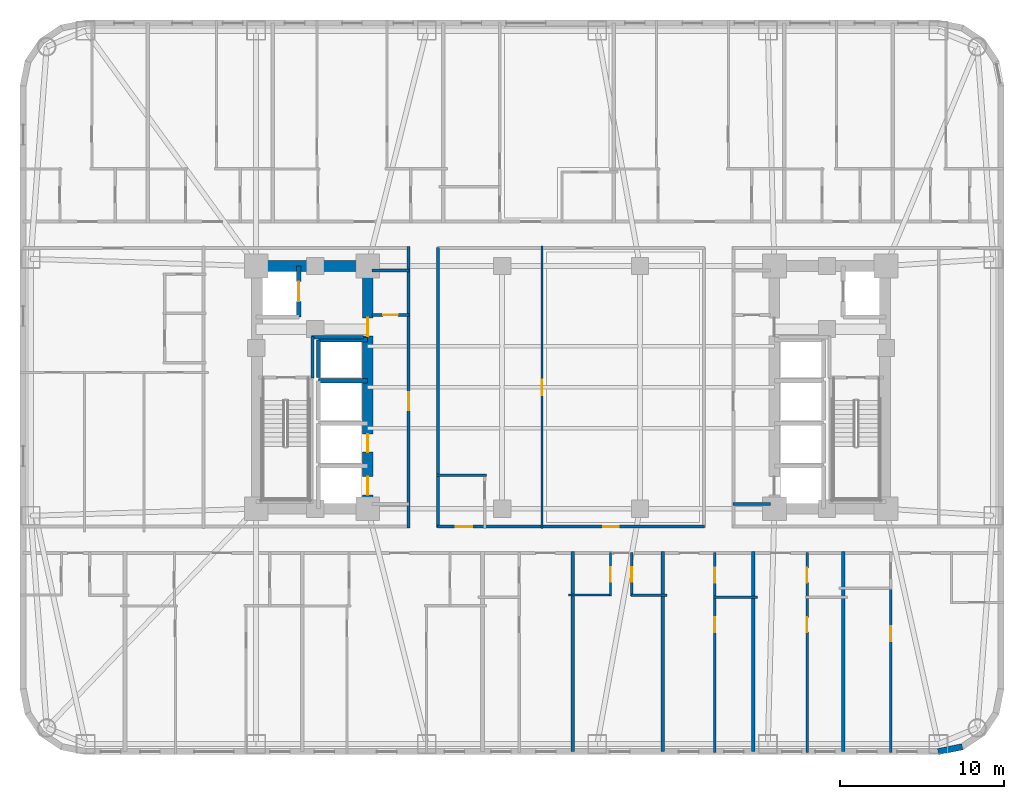
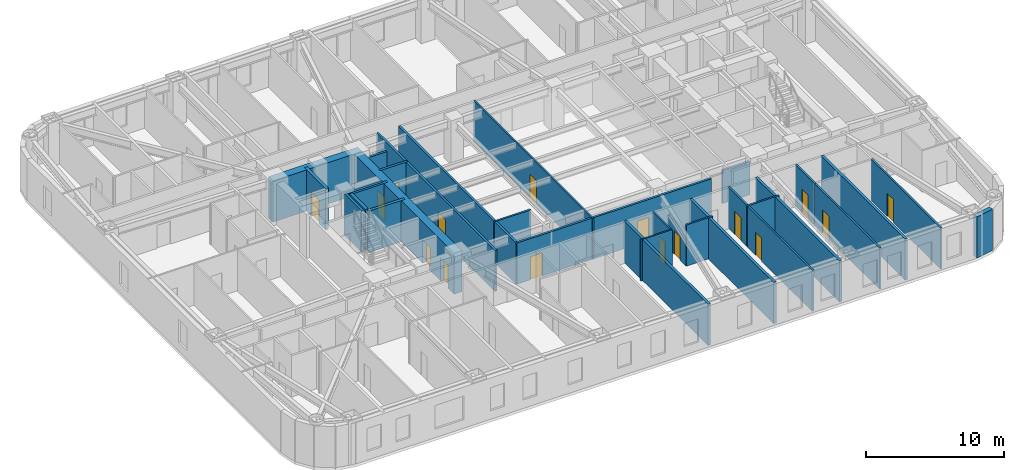
# One storey, part 5 of 12: 31 walls, 16 doors, 16 openings.
"""IFC4 building model written with IfcOpenShell, lengths in metres."""

from ifc_helpers import new_model, si_unit, direction, frame, frame_2d, origin, place, context, subcontext, project, spatial, rectangle, extrude, material, layer, layer_set, type_object, element, fill, save


model = new_model("IFC4")

# Units and contexts
model_context = context("Model", 3, precision=1e-05, world=origin(), true_north=direction((0.0, 1.0)))
body_context = subcontext(model_context, "Body", "Model", "MODEL_VIEW")
ifc_project = project(units=[si_unit("LENGTHUNIT", "METRE"), si_unit("AREAUNIT", "SQUARE_METRE"), si_unit("VOLUMEUNIT", "CUBIC_METRE"), si_unit("PLANEANGLEUNIT", "RADIAN"), si_unit("MASSUNIT", "GRAM", prefix="KILO")], contexts=[model_context])

# Site, building, storey
site_placement = place(None, origin())
site = spatial("IfcSite", under=ifc_project, at=site_placement, CompositionType="ELEMENT")
building_placement = place(site_placement, origin())
building = spatial("IfcBuilding", under=site, at=building_placement, Name="Voryun Gate Residences", CompositionType="ELEMENT")
storey_placement = place(building_placement, frame((0.0, 0.0, 41.60009765625)))
storey = spatial("IfcBuildingStorey", under=building, at=storey_placement, Name="L09", CompositionType="ELEMENT", Elevation=41.60009765625)

# Wall
ifc_material_1 = material(Name="Concrete C60/75", Category="concrete")
ifc_layer_1 = layer(ifc_material_1, 0.64990234375, Name="CW_CORE_650")
ifc_layer_set_1 = layer_set([ifc_layer_1], Name="Concrete C60/75")
wall_type_1 = type_object("IfcWallType", Name="CW_CORE_650", PredefinedType="SHEAR", material=ifc_layer_set_1)
wall_1_placement = place(storey_placement, frame((-19.52490234375, 7.39990234375, 0.0), z_axis=(0.0, 0.0, 1.0), x_axis=(1.0, 0.0, 0.0)))
element("IfcWall", 1, at=wall_1_placement, inside=storey, type_object=wall_type_1, Name="L09 Core shear wall CW-L09-WN", PredefinedType="SHEAR", context=body_context, shape_type="SweptSolid", body=[
    extrude(rectangle(XDim=7.449951171875, YDim=0.64990234375, at=frame_2d((3.72509765625, 0.0))), origin(), (0.0, 0.0, 1.0), 3.64990234375),
])

# Wall, openings, doors
wall_2_placement = place(storey_placement, frame((-12.39990234375, -7.39990234375, 0.0), z_axis=(0.0, 0.0, 1.0), x_axis=(0.0, 1.0, 0.0)))
wall_2 = element("IfcWall", 2, at=wall_2_placement, inside=storey, type_object=wall_type_1, Name="L09 Core shear wall CW-L09-WE", PredefinedType="SHEAR", context=body_context, shape_type="SweptSolid", body=[
    extrude(rectangle(XDim=14.7998046875, YDim=0.64990234375, at=frame_2d((7.39990234375, 0.0))), origin(), (0.0, 0.0, 1.0), 3.64990234375),
])
opening_1_placement = place(wall_2_placement, frame((0.85009765625, 0.0, 0.0)))
opening_1 = element("IfcOpeningElement", 3, at=opening_1_placement, cuts=wall_2, Name="Opening LD2", PredefinedType="OPENING", context=body_context, shape_type="SweptSolid", body=[
    extrude(rectangle(XDim=1.10009765625, YDim=2.050048828125, at=frame_2d((0.550048828125, 1.02490234375))), frame((0.0, 0.3349609375, 0.0), z_axis=(0.0, -1.0, 0.0), x_axis=(1.0, 0.0, 0.0)), (0.0, 0.0, 1.0), 0.669921875),
])
opening_2_placement = place(wall_2_placement, frame((3.449951171875, 0.0, 0.0)))
opening_2 = element("IfcOpeningElement", 4, at=opening_2_placement, cuts=wall_2, Name="Opening LD2", PredefinedType="OPENING", context=body_context, shape_type="SweptSolid", body=[
    extrude(rectangle(XDim=1.10009765625, YDim=2.050048828125, at=frame_2d((0.550048828125, 1.02490234375))), frame((0.0, 0.3349609375, 0.0), z_axis=(0.0, -1.0, 0.0), x_axis=(1.0, 0.0, 0.0)), (0.0, 0.0, 1.0), 0.669921875),
])
opening_3_placement = place(wall_2_placement, frame((10.530029296875, 0.0, 0.0)))
opening_3 = element("IfcOpeningElement", 5, at=opening_3_placement, cuts=wall_2, Name="Opening D-FD60-2", PredefinedType="OPENING", context=body_context, shape_type="SweptSolid", body=[
    extrude(rectangle(XDim=1.10009765625, YDim=2.050048828125, at=frame_2d((0.550048828125, 1.02490234375))), frame((0.0, 0.3349609375, 0.0), z_axis=(0.0, -1.0, 0.0), x_axis=(1.0, 0.0, 0.0)), (0.0, 0.0, 1.0), 0.669921875),
])
ifc_material_2 = material(Name="Painted steel fire door", Category="steel")
door_type_1 = type_object("IfcDoorType", Name="DR_FD60_FFLOB_1100", OperationType="NOTDEFINED", PredefinedType="DOOR", material=ifc_material_2)
door_1_placement = place(opening_3_placement, origin())
door_1 = element("IfcDoor", 6, at=door_1_placement, inside=storey, type_object=door_type_1, Name="Door DR-L09-CLOB-W", OperationType="SINGLE_SWING_LEFT", OverallHeight=2.050048828125, OverallWidth=1.10009765625, PredefinedType="DOOR", context=body_context, shape_type="SweptSolid", body=[
    extrude(rectangle(XDim=1.10009765625, YDim=2.050048828125, at=frame_2d((0.550048828125, 1.02490234375))), frame((0.0, 0.02490234375, 0.0), z_axis=(0.0, -1.0, 0.0), x_axis=(1.0, 0.0, 0.0)), (0.0, 0.0, 1.0), 0.050048828125),
])
fill(opening_3, door_1)
ifc_material_3 = material(Name="Anodised aluminium", Category="aluminium")
door_type_2 = type_object("IfcDoorType", Name="DR_LD_PASS_1100", OperationType="NOTDEFINED", PredefinedType="DOOR", material=ifc_material_3)
door_2_placement = place(opening_1_placement, origin())
door_2 = element("IfcDoor", 7, at=door_2_placement, inside=storey, type_object=door_type_2, Name="Lift EL-P1 sliding landing door L09", OperationType="SLIDING_TO_LEFT", OverallHeight=2.050048828125, OverallWidth=1.10009765625, PredefinedType="DOOR", context=body_context, shape_type="SweptSolid", body=[
    extrude(rectangle(XDim=1.10009765625, YDim=2.050048828125, at=frame_2d((0.550048828125, 1.02490234375))), frame((0.0, 0.02490234375, 0.0), z_axis=(0.0, -1.0, 0.0), x_axis=(1.0, 0.0, 0.0)), (0.0, 0.0, 1.0), 0.050048828125),
])
fill(opening_1, door_2)
door_3_placement = place(opening_2_placement, origin())
door_3 = element("IfcDoor", 8, at=door_3_placement, inside=storey, type_object=door_type_2, Name="Lift EL-P2 sliding landing door L09", OperationType="SLIDING_TO_LEFT", OverallHeight=2.050048828125, OverallWidth=1.10009765625, PredefinedType="DOOR", context=body_context, shape_type="SweptSolid", body=[
    extrude(rectangle(XDim=1.10009765625, YDim=2.050048828125, at=frame_2d((0.550048828125, 1.02490234375))), frame((0.0, 0.02490234375, 0.0), z_axis=(0.0, -1.0, 0.0), x_axis=(1.0, 0.0, 0.0)), (0.0, 0.0, 1.0), 0.050048828125),
])
fill(opening_2, door_3)

# Walls
ifc_material_4 = material(Name="Gypsum acoustic fireboard")
ifc_layer_2 = layer(ifc_material_4, 0.179931640625, Name="W_CORR_RATED_180")
ifc_layer_set_2 = layer_set([ifc_layer_2], Name="Gypsum acoustic fireboard")
wall_type_2 = type_object("IfcWallType", Name="W_CORR_RATED_180", PredefinedType="PARTITIONING", material=ifc_layer_set_2)
for number, where, z_axis, x_axis, name in (
    (9, (-12.14990234375, 7.1201171875, 0.0), (0.0, 0.0, 1.0), (1.0, 0.0, 0.0), "Partition wall WP-L09-PLBN-W"),
    (10, (9.8798828125, -7.1201171875, 0.0), (0.0, 0.0, 1.0), (1.0, 0.0, 0.0), "Partition wall WP-L09-PLBS-E"),
):
    element("IfcWall", number, at=place(storey_placement, frame(where, z_axis=z_axis, x_axis=x_axis)), inside=storey, type_object=wall_type_2, Name=name, PredefinedType="PARTITIONING", context=body_context, shape_type="SweptSolid", body=[
        extrude(rectangle(XDim=2.27001953125, YDim=0.179931640625, at=frame_2d((1.135009765625, 0.0))), origin(), (0.0, 0.0, 1.0), 2.93994140625),
    ])

# Wall, opening, door
wall_3_placement = place(storey_placement, frame((-9.89990234375, -8.580078125, 0.0), z_axis=(0.0, 0.0, 1.0), x_axis=(0.0, 1.0, 0.0)))
wall_3 = element("IfcWall", 11, at=wall_3_placement, inside=storey, type_object=wall_type_2, Name="Partition wall WP-L09-PLBW-FULL", PredefinedType="PARTITIONING", context=body_context, shape_type="SweptSolid", body=[
    extrude(rectangle(XDim=17.16015625, YDim=0.179931640625, at=frame_2d((8.580078125, 0.0))), origin(), (0.0, 0.0, 1.0), 3.64990234375),
])
opening_4_placement = place(wall_3_placement, frame((7.172119140625, 0.0, 0.0)))
opening_4 = element("IfcOpeningElement", 12, at=opening_4_placement, cuts=wall_3, Name="Opening D-FD60-2", PredefinedType="OPENING", context=body_context, shape_type="SweptSolid", body=[
    extrude(rectangle(XDim=1.10009765625, YDim=2.050048828125, at=frame_2d((0.550048828125, 1.02490234375))), frame((0.0, 0.099853515625, 0.0), z_axis=(0.0, -1.0, 0.0), x_axis=(1.0, 0.0, 0.0)), (0.0, 0.0, 1.0), 0.199951171875),
])
door_4_placement = place(opening_4_placement, origin())
door_4 = element("IfcDoor", 13, at=door_4_placement, inside=storey, type_object=door_type_1, Name="Door DR-L09-PLBW-COR", OperationType="SINGLE_SWING_LEFT", OverallHeight=2.050048828125, OverallWidth=1.10009765625, PredefinedType="DOOR", context=body_context, shape_type="SweptSolid", body=[
    extrude(rectangle(XDim=1.10009765625, YDim=2.050048828125, at=frame_2d((0.550048828125, 1.02490234375))), frame((0.0, 0.02490234375, 0.0), z_axis=(0.0, -1.0, 0.0), x_axis=(1.0, 0.0, 0.0)), (0.0, 0.0, 1.0), 0.050048828125),
])
fill(opening_4, door_4)

# Wall, openings, doors
wall_4_placement = place(storey_placement, frame((-8.14990234375, -8.489990234375, 0.0), z_axis=(0.0, 0.0, 1.0), x_axis=(1.0, 0.0, 0.0)))
wall_4 = element("IfcWall", 14, at=wall_4_placement, inside=storey, type_object=wall_type_2, Name="Partition wall WP-L09-Z1S", PredefinedType="PARTITIONING", context=body_context, shape_type="SweptSolid", body=[
    extrude(rectangle(XDim=16.2998046875, YDim=0.179931640625, at=frame_2d((8.14990234375, 0.0))), origin(), (0.0, 0.0, 1.0), 3.64990234375),
])
opening_5_placement = place(wall_4_placement, frame((1.1298828125, 0.0, 0.0)))
opening_5 = element("IfcOpeningElement", 15, at=opening_5_placement, cuts=wall_4, Name="Opening D-AWC-1", PredefinedType="OPENING", context=body_context, shape_type="SweptSolid", body=[
    extrude(rectangle(XDim=1.0, YDim=2.050048828125, at=frame_2d((0.5, 1.02490234375))), frame((0.0, 0.099853515625, 0.0), z_axis=(0.0, -1.0, 0.0), x_axis=(1.0, 0.0, 0.0)), (0.0, 0.0, 1.0), 0.199951171875),
])
opening_6_placement = place(wall_4_placement, frame((10.1201171875, 0.0, 0.0)))
opening_6 = element("IfcOpeningElement", 16, at=opening_6_placement, cuts=wall_4, Name="Opening D-INT-1", PredefinedType="OPENING", context=body_context, shape_type="SweptSolid", body=[
    extrude(rectangle(XDim=0.949951171875, YDim=2.050048828125, at=frame_2d((0.47509765625, 1.02490234375))), frame((0.0, 0.099853515625, 0.0), z_axis=(0.0, -1.0, 0.0), x_axis=(1.0, 0.0, 0.0)), (0.0, 0.0, 1.0), 0.199951171875),
])
ifc_material_5 = material(Name="Architectural oak veneer")
door_type_3 = type_object("IfcDoorType", Name="DR_ACC_WC_1000", OperationType="NOTDEFINED", PredefinedType="DOOR", material=ifc_material_5)
door_5_placement = place(opening_5_placement, origin())
door_5 = element("IfcDoor", 17, at=door_5_placement, inside=storey, type_object=door_type_3, Name="Door DR-L09-CMWC-D", OperationType="SINGLE_SWING_LEFT", OverallHeight=2.050048828125, OverallWidth=1.0, PredefinedType="DOOR", context=body_context, shape_type="SweptSolid", body=[
    extrude(rectangle(XDim=1.0, YDim=2.050048828125, at=frame_2d((0.5, 1.02490234375))), frame((0.0, 0.02490234375, 0.0), z_axis=(0.0, -1.0, 0.0), x_axis=(1.0, 0.0, 0.0)), (0.0, 0.0, 1.0), 0.050048828125),
])
fill(opening_5, door_5)
ifc_material_6 = material(Name="Architectural oak veneer")
door_type_4 = type_object("IfcDoorType", Name="DR_INT_ROOM_950", OperationType="NOTDEFINED", PredefinedType="DOOR", material=ifc_material_6)
door_6_placement = place(opening_6_placement, origin())
door_6 = element("IfcDoor", 18, at=door_6_placement, inside=storey, type_object=door_type_4, Name="Door DR-L09-CMIDZ1S", OperationType="SINGLE_SWING_RIGHT", OverallHeight=2.050048828125, OverallWidth=0.949951171875, PredefinedType="DOOR", context=body_context, shape_type="SweptSolid", body=[
    extrude(rectangle(XDim=0.949951171875, YDim=2.050048828125, at=frame_2d((0.47509765625, 1.02490234375))), frame((0.0, 0.02490234375, 0.0), z_axis=(0.0, -1.0, 0.0), x_axis=(1.0, 0.0, 0.0)), (0.0, 0.0, 1.0), 0.050048828125),
])
fill(opening_6, door_6)

# Walls
wall_5_placement = place(storey_placement, frame((-8.10009765625, -8.530029296875, 0.0), z_axis=(0.0, 0.0, 1.0), x_axis=(0.0, 1.0, 0.0)))
element("IfcWall", 19, at=wall_5_placement, inside=storey, type_object=wall_type_2, Name="Partition wall WP-L09-Z1W", PredefinedType="PARTITIONING", context=body_context, shape_type="SweptSolid", body=[
    extrude(rectangle(XDim=17.06005859375, YDim=0.179931640625, at=frame_2d((8.530029296875, 0.0))), origin(), (0.0, 0.0, 1.0), 3.64990234375),
])
ifc_material_7 = material(Name="Granite masonry", Category="masonry")
ifc_layer_3 = layer(ifc_material_7, 0.3798828125, Name="W_EXT_GRANITE_380")
ifc_layer_set_3 = layer_set([ifc_layer_3], Name="Granite masonry")
wall_type_3 = type_object("IfcWallType", Name="W_EXT_GRANITE_380", PredefinedType="ELEMENTEDWALL", material=ifc_layer_set_3)
wall_6_placement = place(storey_placement, frame((23.856689453125, -21.91650390625, 0.0), z_axis=(0.0, 0.0, 1.0), x_axis=(-0.980786132421, -0.195086038585, 0.0)))
element("IfcWall", 20, at=wall_6_placement, inside=storey, type_object=wall_type_3, Name="Exterior wall WEXT-L09-20", PredefinedType="ELEMENTEDWALL", context=body_context, shape_type="SweptSolid", body=[
    extrude(rectangle(XDim=1.504150390625, YDim=0.3798828125, at=frame_2d((0.751953125, 0.0))), origin(), (0.0, 0.0, 1.0), 3.64990234375),
])
ifc_material_8 = material(Name="Concrete C40/50", Category="concrete")
ifc_layer_4 = layer(ifc_material_8, 0.199951171875, Name="W_FF_LOBBY_200")
ifc_layer_set_4 = layer_set([ifc_layer_4], Name="Concrete C40/50")
wall_type_4 = type_object("IfcWallType", Name="W_FF_LOBBY_200", PredefinedType="PARTITIONING", material=ifc_layer_set_4)
wall_7_placement = place(storey_placement, frame((-15.760009765625, 0.580078125, 0.0), z_axis=(0.0, 0.0, 1.0), x_axis=(0.0, 1.0, 0.0)))
element("IfcWall", 21, at=wall_7_placement, inside=storey, type_object=wall_type_4, Name="Partition wall WP-L09-FFP0-W", PredefinedType="PARTITIONING", context=body_context, shape_type="SweptSolid", body=[
    extrude(rectangle(XDim=2.52001953125, YDim=0.199951171875, at=frame_2d((1.260009765625, 0.0))), origin(), (0.0, 0.0, 1.0), 3.64990234375),
])
wall_8_placement = place(storey_placement, frame((-15.820068359375, 3.06005859375, 0.0), z_axis=(0.0, 0.0, 1.0), x_axis=(1.0, 0.0, 0.0)))
element("IfcWall", 22, at=wall_8_placement, inside=storey, type_object=wall_type_4, Name="Partition wall WP-L09-FFPS-W", PredefinedType="PARTITIONING", context=body_context, shape_type="SweptSolid", body=[
    extrude(rectangle(XDim=3.16015625, YDim=0.199951171875, at=frame_2d((1.580078125, 0.0))), origin(), (0.0, 0.0, 1.0), 3.64990234375),
])

# Wall, opening, door
wall_9_placement = place(storey_placement, frame((-12.14990234375, 4.409912109375, 0.0), z_axis=(0.0, 0.0, 1.0), x_axis=(1.0, 0.0, 0.0)))
wall_9 = element("IfcWall", 23, at=wall_9_placement, inside=storey, type_object=wall_type_4, Name="Partition wall WP-L09-CSFLKS-W", PredefinedType="PARTITIONING", context=body_context, shape_type="SweptSolid", body=[
    extrude(rectangle(XDim=2.27001953125, YDim=0.199951171875, at=frame_2d((1.135009765625, 0.0))), origin(), (0.0, 0.0, 1.0), 3.64990234375),
])
opening_7_placement = place(wall_9_placement, frame((0.68505859375, 0.0, 0.0)))
opening_7 = element("IfcOpeningElement", 24, at=opening_7_placement, cuts=wall_9, Name="Opening D-FD60-4", PredefinedType="OPENING", context=body_context, shape_type="SweptSolid", body=[
    extrude(rectangle(XDim=0.89990234375, YDim=2.050048828125, at=frame_2d((0.449951171875, 1.02490234375))), frame((0.0, 0.110107421875, 0.0), z_axis=(0.0, -1.0, 0.0), x_axis=(1.0, 0.0, 0.0)), (0.0, 0.0, 1.0), 0.219970703125),
])
ifc_material_9 = material(Name="Painted steel fire door", Category="steel")
door_type_5 = type_object("IfcDoorType", Name="DR_FD60_RISER_900", OperationType="NOTDEFINED", PredefinedType="DOOR", material=ifc_material_9)
door_7_placement = place(opening_7_placement, origin())
door_7 = element("IfcDoor", 25, at=door_7_placement, inside=storey, type_object=door_type_5, Name="Door DR-L09-CSFLK-W", OperationType="SINGLE_SWING_LEFT", OverallHeight=2.050048828125, OverallWidth=0.89990234375, PredefinedType="DOOR", context=body_context, shape_type="SweptSolid", body=[
    extrude(rectangle(XDim=0.89990234375, YDim=2.050048828125, at=frame_2d((0.449951171875, 1.02490234375))), frame((0.0, 0.02490234375, 0.0), z_axis=(0.0, -1.0, 0.0), x_axis=(1.0, 0.0, 0.0)), (0.0, 0.0, 1.0), 0.050048828125),
])
fill(opening_7, door_7)

# Walls
ifc_material_10 = material(Name="Concrete C40/50", Category="concrete")
ifc_layer_5 = layer(ifc_material_10, 0.219970703125, Name="W_PARTY_ACOUSTIC_220")
ifc_layer_set_5 = layer_set([ifc_layer_5], Name="Concrete C40/50")
wall_type_5 = type_object("IfcWallType", Name="W_PARTY_ACOUSTIC_220", PredefinedType="PARTITIONING", material=ifc_layer_set_5)
for number, where, z_axis, x_axis, name in (
    (26, (0.10009765625, -22.2099609375, 0.0), (0.0, 0.0, 1.0), (0.0, 1.0, 0.0), "Partition wall WP-L09-SPTY-4"),
    (27, (5.60009765625, -22.2099609375, 0.0), (0.0, 0.0, 1.0), (0.0, 1.0, 0.0), "Partition wall WP-L09-SPTY-5"),
    (28, (11.10009765625, -22.2099609375, 0.0), (0.0, 0.0, 1.0), (0.0, 1.0, 0.0), "Partition wall WP-L09-SPTY-6"),
    (29, (16.60009765625, -22.2099609375, 0.0), (0.0, 0.0, 1.0), (0.0, 1.0, 0.0), "Partition wall WP-L09-SPTY-7"),
):
    element("IfcWall", number, at=place(storey_placement, frame(where, z_axis=z_axis, x_axis=x_axis)), inside=storey, type_object=wall_type_5, Name=name, PredefinedType="PARTITIONING", context=body_context, shape_type="SweptSolid", body=[
        extrude(rectangle(XDim=12.18994140625, YDim=0.219970703125, at=frame_2d((6.094970703125, 0.0))), origin(), (0.0, 0.0, 1.0), 3.64990234375),
    ])

# Wall, opening, door
ifc_material_11 = material(Name="Concrete C50/60", Category="concrete")
ifc_layer_6 = layer(ifc_material_11, 0.25, Name="W_SHAFT_RC250")
ifc_layer_set_6 = layer_set([ifc_layer_6], Name="Concrete C50/60")
wall_type_6 = type_object("IfcWallType", Name="W_SHAFT_RC250", PredefinedType="SOLIDWALL", material=ifc_layer_set_6)
wall_10_placement = place(storey_placement, frame((-16.60009765625, 4.300048828125, 0.0), z_axis=(0.0, 0.0, 1.0), x_axis=(0.0, 1.0, 0.0)))
wall_10 = element("IfcWall", 30, at=wall_10_placement, inside=storey, type_object=wall_type_6, Name="Lift shaft wall WSH-L09-EL-FF-W1-E", PredefinedType="SOLIDWALL", context=body_context, shape_type="SweptSolid", body=[
    extrude(rectangle(XDim=3.099853515625, YDim=0.25, at=frame_2d((1.5498046875, 0.0))), origin(), (0.0, 0.0, 1.0), 3.64990234375),
])
opening_8_placement = place(wall_10_placement, frame((0.949951171875, 0.0, 0.0)))
opening_8 = element("IfcOpeningElement", 31, at=opening_8_placement, cuts=wall_10, Name="Opening LD1", PredefinedType="OPENING", context=body_context, shape_type="SweptSolid", body=[
    extrude(rectangle(XDim=1.199951171875, YDim=2.050048828125, at=frame_2d((0.60009765625, 1.02490234375))), frame((0.0, 0.135009765625, 0.0), z_axis=(0.0, -1.0, 0.0), x_axis=(1.0, 0.0, 0.0)), (0.0, 0.0, 1.0), 0.27001953125),
])
ifc_material_12 = material(Name="Anodised aluminium", Category="aluminium")
door_type_6 = type_object("IfcDoorType", Name="DR_LD_FF_1200", OperationType="NOTDEFINED", PredefinedType="DOOR", material=ifc_material_12)
door_8_placement = place(opening_8_placement, origin())
door_8 = element("IfcDoor", 32, at=door_8_placement, inside=storey, type_object=door_type_6, Name="Lift EL-FF-W1 sliding landing door L09", OperationType="SLIDING_TO_LEFT", OverallHeight=2.050048828125, OverallWidth=1.199951171875, PredefinedType="DOOR", context=body_context, shape_type="SweptSolid", body=[
    extrude(rectangle(XDim=1.199951171875, YDim=2.050048828125, at=frame_2d((0.60009765625, 1.02490234375))), frame((0.0, 0.02490234375, 0.0), z_axis=(0.0, -1.0, 0.0), x_axis=(1.0, 0.0, 0.0)), (0.0, 0.0, 1.0), 0.050048828125),
])
fill(opening_8, door_8)

# Walls
for number, where, z_axis, x_axis, name in (
    (33, (-12.39990234375, 0.39990234375, 0.0), (0.0, 0.0, 1.0), (-1.0, 0.0, 0.0), "Lift shaft wall WSH-L09-EL-P4-N"),
    (34, (-12.39990234375, 2.89990234375, 0.0), (0.0, 0.0, 1.0), (-1.0, 0.0, 0.0), "Lift shaft wall WSH-L09-EL-P7-N"),
):
    element("IfcWall", number, at=place(storey_placement, frame(where, z_axis=z_axis, x_axis=x_axis)), inside=storey, type_object=wall_type_6, Name=name, PredefinedType="SOLIDWALL", context=body_context, shape_type="SweptSolid", body=[
        extrude(rectangle(XDim=3.0, YDim=0.25, at=frame_2d((1.5, 0.0))), origin(), (0.0, 0.0, 1.0), 3.64990234375),
    ])
wall_11_placement = place(storey_placement, frame((-15.39990234375, 2.89990234375, 0.0), z_axis=(0.0, 0.0, 1.0), x_axis=(0.0, -1.0, 0.0)))
element("IfcWall", 35, at=wall_11_placement, inside=storey, type_object=wall_type_6, Name="Lift shaft wall WSH-L09-EL-P7-W", PredefinedType="SOLIDWALL", context=body_context, shape_type="SweptSolid", body=[
    extrude(rectangle(XDim=2.2998046875, YDim=0.25, at=frame_2d((1.14990234375, 0.0))), origin(), (0.0, 0.0, 1.0), 3.64990234375),
])

# Wall, opening, door
ifc_material_13 = material(Name="Gypsum acoustic partition")
ifc_layer_7 = layer(ifc_material_13, 0.125, Name="W_UNIT_PART_125")
ifc_layer_set_7 = layer_set([ifc_layer_7], Name="Gypsum acoustic partition")
wall_type_7 = type_object("IfcWallType", Name="W_UNIT_PART_125", PredefinedType="PARTITIONING", material=ifc_layer_set_7)
wall_12_placement = place(storey_placement, frame((-1.77294921875, -8.6201171875, 0.0), z_axis=(0.0, 0.0, 1.0), x_axis=(0.0, 1.0, 0.0)))
wall_12 = element("IfcWall", 36, at=wall_12_placement, inside=storey, type_object=wall_type_7, Name="Partition wall WP-L09-MIDX-0", PredefinedType="PARTITIONING", context=body_context, shape_type="SweptSolid", body=[
    extrude(rectangle(XDim=17.240234375, YDim=0.125, at=frame_2d((8.6201171875, 0.0))), origin(), (0.0, 0.0, 1.0), 3.64990234375),
])
opening_9_placement = place(wall_12_placement, frame((8.14501953125, 0.0, 0.0)))
opening_9 = element("IfcOpeningElement", 37, at=opening_9_placement, cuts=wall_12, Name="Opening D-INT-1", PredefinedType="OPENING", context=body_context, shape_type="SweptSolid", body=[
    extrude(rectangle(XDim=0.949951171875, YDim=2.050048828125, at=frame_2d((0.47509765625, 1.02490234375))), frame((0.0, 0.072509765625, 0.0), z_axis=(0.0, -1.0, 0.0), x_axis=(1.0, 0.0, 0.0)), (0.0, 0.0, 1.0), 0.14501953125),
])
door_9_placement = place(opening_9_placement, origin())
door_9 = element("IfcDoor", 38, at=door_9_placement, inside=storey, type_object=door_type_4, Name="Door DR-L09-MIDX-0", OperationType="SINGLE_SWING_LEFT", OverallHeight=2.050048828125, OverallWidth=0.949951171875, PredefinedType="DOOR", context=body_context, shape_type="SweptSolid", body=[
    extrude(rectangle(XDim=0.949951171875, YDim=2.050048828125, at=frame_2d((0.47509765625, 1.02490234375))), frame((0.0, 0.02490234375, 0.0), z_axis=(0.0, -1.0, 0.0), x_axis=(1.0, 0.0, 0.0)), (0.0, 0.0, 1.0), 0.050048828125),
])
fill(opening_9, door_9)

wall_13_placement = place(storey_placement, frame((2.409912109375, -12.72998046875, 0.0), z_axis=(0.0, 0.0, 1.0), x_axis=(0.0, 1.0, 0.0)))
wall_13 = element("IfcWall", 39, at=wall_13_placement, inside=storey, type_object=wall_type_7, Name="Partition wall WP-L09-S5-CVK", PredefinedType="PARTITIONING", context=body_context, shape_type="SweptSolid", body=[
    extrude(rectangle(XDim=2.64990234375, YDim=0.125, at=frame_2d((1.324951171875, 0.0))), origin(), (0.0, 0.0, 1.0), 3.64990234375),
])
opening_10_placement = place(wall_13_placement, frame((0.875, 0.0, 0.0)))
opening_10 = element("IfcOpeningElement", 40, at=opening_10_placement, cuts=wall_13, Name="Opening D-INT-2", PredefinedType="OPENING", context=body_context, shape_type="SweptSolid", body=[
    extrude(rectangle(XDim=0.89990234375, YDim=2.050048828125, at=frame_2d((0.449951171875, 1.02490234375))), frame((0.0, 0.072509765625, 0.0), z_axis=(0.0, -1.0, 0.0), x_axis=(1.0, 0.0, 0.0)), (0.0, 0.0, 1.0), 0.14501953125),
])
ifc_material_14 = material(Name="Architectural oak veneer")
door_type_7 = type_object("IfcDoorType", Name="DR_INT_BATH_900", OperationType="NOTDEFINED", PredefinedType="DOOR", material=ifc_material_14)
door_10_placement = place(opening_10_placement, origin())
door_10 = element("IfcDoor", 41, at=door_10_placement, inside=storey, type_object=door_type_7, Name="Door DR-L09-S5-DK", OperationType="SINGLE_SWING_LEFT", OverallHeight=2.050048828125, OverallWidth=0.89990234375, PredefinedType="DOOR", context=body_context, shape_type="SweptSolid", body=[
    extrude(rectangle(XDim=0.89990234375, YDim=2.050048828125, at=frame_2d((0.449951171875, 1.02490234375))), frame((0.0, 0.02490234375, 0.0), z_axis=(0.0, -1.0, 0.0), x_axis=(1.0, 0.0, 0.0)), (0.0, 0.0, 1.0), 0.050048828125),
])
fill(opening_10, door_10)

# Walls
wall_14_placement = place(storey_placement, frame((-0.159912109375, -12.669921875, 0.0), z_axis=(0.0, 0.0, 1.0), x_axis=(1.0, 0.0, 0.0)))
element("IfcWall", 42, at=wall_14_placement, inside=storey, type_object=wall_type_7, Name="Partition wall WP-L09-S5-CHK", PredefinedType="PARTITIONING", context=body_context, shape_type="SweptSolid", body=[
    extrude(rectangle(XDim=2.6298828125, YDim=0.125, at=frame_2d((1.31494140625, 0.0))), origin(), (0.0, 0.0, 1.0), 3.64990234375),
])
ifc_material_15 = material(Name="Gypsum moisture-resistant partition")
ifc_layer_8 = layer(ifc_material_15, 0.14990234375, Name="W_WET_PLUMB_150")
ifc_layer_set_8 = layer_set([ifc_layer_8], Name="Gypsum moisture-resistant partition")
wall_type_8 = type_object("IfcWallType", Name="W_WET_PLUMB_150", PredefinedType="PLUMBINGWALL", material=ifc_layer_set_8)
wall_15_placement = place(storey_placement, frame((-8.2099609375, -5.3701171875, 0.0), z_axis=(0.0, 0.0, 1.0), x_axis=(1.0, 0.0, 0.0)))
element("IfcWall", 43, at=wall_15_placement, inside=storey, type_object=wall_type_8, Name="Partition wall WP-L09-CMWCY", PredefinedType="PLUMBINGWALL", context=body_context, shape_type="SweptSolid", body=[
    extrude(rectangle(XDim=3.050048828125, YDim=0.14990234375, at=frame_2d((1.52490234375, 0.0))), origin(), (0.0, 0.0, 1.0), 3.64990234375),
])

# Wall, opening, door
wall_16_placement = place(storey_placement, frame((3.7109375, -12.72998046875, 0.0), z_axis=(0.0, 0.0, 1.0), x_axis=(0.0, 1.0, 0.0)))
wall_16 = element("IfcWall", 44, at=wall_16_placement, inside=storey, type_object=wall_type_8, Name="Partition wall WP-L09-S5-CVB", PredefinedType="PLUMBINGWALL", context=body_context, shape_type="SweptSolid", body=[
    extrude(rectangle(XDim=2.64990234375, YDim=0.14990234375, at=frame_2d((1.324951171875, 0.0))), origin(), (0.0, 0.0, 1.0), 2.93994140625),
])
opening_11_placement = place(wall_16_placement, frame((0.875, 0.0, 0.0)))
opening_11 = element("IfcOpeningElement", 45, at=opening_11_placement, cuts=wall_16, Name="Opening D-INT-2", PredefinedType="OPENING", context=body_context, shape_type="SweptSolid", body=[
    extrude(rectangle(XDim=0.89990234375, YDim=2.050048828125, at=frame_2d((0.449951171875, 1.02490234375))), frame((0.0, 0.0849609375, 0.0), z_axis=(0.0, -1.0, 0.0), x_axis=(1.0, 0.0, 0.0)), (0.0, 0.0, 1.0), 0.169921875),
])
door_11_placement = place(opening_11_placement, origin())
door_11 = element("IfcDoor", 46, at=door_11_placement, inside=storey, type_object=door_type_7, Name="Door DR-L09-S5-DB", OperationType="SINGLE_SWING_RIGHT", OverallHeight=2.050048828125, OverallWidth=0.89990234375, PredefinedType="DOOR", context=body_context, shape_type="SweptSolid", body=[
    extrude(rectangle(XDim=0.89990234375, YDim=2.050048828125, at=frame_2d((0.449951171875, 1.02490234375))), frame((0.0, 0.02490234375, 0.0), z_axis=(0.0, -1.0, 0.0), x_axis=(1.0, 0.0, 0.0)), (0.0, 0.0, 1.0), 0.050048828125),
])
fill(opening_11, door_11)

# Walls
wall_17_placement = place(storey_placement, frame((3.65087890625, -12.669921875, 0.0), z_axis=(0.0, 0.0, 1.0), x_axis=(1.0, 0.0, 0.0)))
element("IfcWall", 47, at=wall_17_placement, inside=storey, type_object=wall_type_8, Name="Partition wall WP-L09-S5-CHB", PredefinedType="PLUMBINGWALL", context=body_context, shape_type="SweptSolid", body=[
    extrude(rectangle(XDim=2.209228515625, YDim=0.14990234375, at=frame_2d((1.1044921875, 0.0))), origin(), (0.0, 0.0, 1.0), 3.64990234375),
])
wall_18_placement = place(storey_placement, frame((8.678955078125, -12.800048828125, 0.0), z_axis=(0.0, 0.0, 1.0), x_axis=(1.0, 0.0, 0.0)))
element("IfcWall", 48, at=wall_18_placement, inside=storey, type_object=wall_type_8, Name="Partition wall WP-L09-S6-SKB", PredefinedType="PLUMBINGWALL", context=body_context, shape_type="SweptSolid", body=[
    extrude(rectangle(XDim=2.68115234375, YDim=0.14990234375, at=frame_2d((1.340576171875, 0.0))), origin(), (0.0, 0.0, 1.0), 3.64990234375),
])

# Wall, opening, door
wall_19_placement = place(storey_placement, frame((8.759033203125, -22.257568359375, 0.0), z_axis=(0.0, 0.0, 1.0), x_axis=(0.0, 1.0, 0.0)))
wall_19 = element("IfcWall", 49, at=wall_19_placement, inside=storey, type_object=wall_type_8, Name="Partition wall WP-L09-S6-SVT1", PredefinedType="PLUMBINGWALL", context=body_context, shape_type="SweptSolid", body=[
    extrude(rectangle(XDim=9.49755859375, YDim=0.14990234375, at=frame_2d((4.748779296875, 0.0))), origin(), (0.0, 0.0, 1.0), 3.64990234375),
])
opening_12_placement = place(wall_19_placement, frame((7.337890625, 0.0, 0.0)))
opening_12 = element("IfcOpeningElement", 50, at=opening_12_placement, cuts=wall_19, Name="Opening D-INT-2", PredefinedType="OPENING", context=body_context, shape_type="SweptSolid", body=[
    extrude(rectangle(XDim=0.89990234375, YDim=2.050048828125, at=frame_2d((0.449951171875, 1.02490234375))), frame((0.0, 0.0849609375, 0.0), z_axis=(0.0, -1.0, 0.0), x_axis=(1.0, 0.0, 0.0)), (0.0, 0.0, 1.0), 0.169921875),
])
door_12_placement = place(opening_12_placement, origin())
door_12 = element("IfcDoor", 51, at=door_12_placement, inside=storey, type_object=door_type_7, Name="Door DR-L09-S6-DK", OperationType="SINGLE_SWING_LEFT", OverallHeight=2.050048828125, OverallWidth=0.89990234375, PredefinedType="DOOR", context=body_context, shape_type="SweptSolid", body=[
    extrude(rectangle(XDim=0.89990234375, YDim=2.050048828125, at=frame_2d((0.449951171875, 1.02490234375))), frame((0.0, 0.02490234375, 0.0), z_axis=(0.0, -1.0, 0.0), x_axis=(1.0, 0.0, 0.0)), (0.0, 0.0, 1.0), 0.050048828125),
])
fill(opening_12, door_12)

wall_20_placement = place(storey_placement, frame((8.759033203125, -12.840087890625, 0.0), z_axis=(0.0, 0.0, 1.0), x_axis=(0.0, 1.0, 0.0)))
wall_20 = element("IfcWall", 52, at=wall_20_placement, inside=storey, type_object=wall_type_8, Name="Partition wall WP-L09-S6-SVT2", PredefinedType="PLUMBINGWALL", context=body_context, shape_type="SweptSolid", body=[
    extrude(rectangle(XDim=2.760009765625, YDim=0.14990234375, at=frame_2d((1.3798828125, 0.0))), origin(), (0.0, 0.0, 1.0), 3.64990234375),
])
opening_13_placement = place(wall_20_placement, frame((0.929931640625, 0.0, 0.0)))
opening_13 = element("IfcOpeningElement", 53, at=opening_13_placement, cuts=wall_20, Name="Opening D-INT-2", PredefinedType="OPENING", context=body_context, shape_type="SweptSolid", body=[
    extrude(rectangle(XDim=0.89990234375, YDim=2.050048828125, at=frame_2d((0.449951171875, 1.02490234375))), frame((0.0, 0.0849609375, 0.0), z_axis=(0.0, -1.0, 0.0), x_axis=(1.0, 0.0, 0.0)), (0.0, 0.0, 1.0), 0.169921875),
])
door_13_placement = place(opening_13_placement, origin())
door_13 = element("IfcDoor", 54, at=door_13_placement, inside=storey, type_object=door_type_7, Name="Door DR-L09-S6-DB", OperationType="SINGLE_SWING_RIGHT", OverallHeight=2.050048828125, OverallWidth=0.89990234375, PredefinedType="DOOR", context=body_context, shape_type="SweptSolid", body=[
    extrude(rectangle(XDim=0.89990234375, YDim=2.050048828125, at=frame_2d((0.449951171875, 1.02490234375))), frame((0.0, 0.02490234375, 0.0), z_axis=(0.0, -1.0, 0.0), x_axis=(1.0, 0.0, 0.0)), (0.0, 0.0, 1.0), 0.050048828125),
])
fill(opening_13, door_13)

wall_21_placement = place(storey_placement, frame((14.389892578125, -22.257568359375, 0.0), z_axis=(0.0, 0.0, 1.0), x_axis=(0.0, 1.0, 0.0)))
wall_21 = element("IfcWall", 55, at=wall_21_placement, inside=storey, type_object=wall_type_8, Name="Partition wall WP-L09-S7-SVT1", PredefinedType="PLUMBINGWALL", context=body_context, shape_type="SweptSolid", body=[
    extrude(rectangle(XDim=9.49755859375, YDim=0.14990234375, at=frame_2d((4.748779296875, 0.0))), origin(), (0.0, 0.0, 1.0), 3.64990234375),
])
opening_14_placement = place(wall_21_placement, frame((7.337890625, 0.0, 0.0)))
opening_14 = element("IfcOpeningElement", 56, at=opening_14_placement, cuts=wall_21, Name="Opening D-INT-2", PredefinedType="OPENING", context=body_context, shape_type="SweptSolid", body=[
    extrude(rectangle(XDim=0.89990234375, YDim=2.050048828125, at=frame_2d((0.449951171875, 1.02490234375))), frame((0.0, 0.0849609375, 0.0), z_axis=(0.0, -1.0, 0.0), x_axis=(1.0, 0.0, 0.0)), (0.0, 0.0, 1.0), 0.169921875),
])
door_14_placement = place(opening_14_placement, origin())
door_14 = element("IfcDoor", 57, at=door_14_placement, inside=storey, type_object=door_type_7, Name="Door DR-L09-S7-DK", OperationType="SINGLE_SWING_LEFT", OverallHeight=2.050048828125, OverallWidth=0.89990234375, PredefinedType="DOOR", context=body_context, shape_type="SweptSolid", body=[
    extrude(rectangle(XDim=0.89990234375, YDim=2.050048828125, at=frame_2d((0.449951171875, 1.02490234375))), frame((0.0, 0.02490234375, 0.0), z_axis=(0.0, -1.0, 0.0), x_axis=(1.0, 0.0, 0.0)), (0.0, 0.0, 1.0), 0.050048828125),
])
fill(opening_14, door_14)

wall_22_placement = place(storey_placement, frame((14.389892578125, -12.840087890625, 0.0), z_axis=(0.0, 0.0, 1.0), x_axis=(0.0, 1.0, 0.0)))
wall_22 = element("IfcWall", 58, at=wall_22_placement, inside=storey, type_object=wall_type_8, Name="Partition wall WP-L09-S7-SVT2", PredefinedType="PLUMBINGWALL", context=body_context, shape_type="SweptSolid", body=[
    extrude(rectangle(XDim=2.760009765625, YDim=0.14990234375, at=frame_2d((1.3798828125, 0.0))), origin(), (0.0, 0.0, 1.0), 3.64990234375),
])
opening_15_placement = place(wall_22_placement, frame((0.929931640625, 0.0, 0.0)))
opening_15 = element("IfcOpeningElement", 59, at=opening_15_placement, cuts=wall_22, Name="Opening D-INT-2", PredefinedType="OPENING", context=body_context, shape_type="SweptSolid", body=[
    extrude(rectangle(XDim=0.89990234375, YDim=2.050048828125, at=frame_2d((0.449951171875, 1.02490234375))), frame((0.0, 0.0849609375, 0.0), z_axis=(0.0, -1.0, 0.0), x_axis=(1.0, 0.0, 0.0)), (0.0, 0.0, 1.0), 0.169921875),
])
door_15_placement = place(opening_15_placement, origin())
door_15 = element("IfcDoor", 60, at=door_15_placement, inside=storey, type_object=door_type_7, Name="Door DR-L09-S7-DB", OperationType="SINGLE_SWING_RIGHT", OverallHeight=2.050048828125, OverallWidth=0.89990234375, PredefinedType="DOOR", context=body_context, shape_type="SweptSolid", body=[
    extrude(rectangle(XDim=0.89990234375, YDim=2.050048828125, at=frame_2d((0.449951171875, 1.02490234375))), frame((0.0, 0.02490234375, 0.0), z_axis=(0.0, -1.0, 0.0), x_axis=(1.0, 0.0, 0.0)), (0.0, 0.0, 1.0), 0.050048828125),
])
fill(opening_15, door_15)

wall_23_placement = place(storey_placement, frame((19.489013671875, -22.257568359375, 0.0), z_axis=(0.0, 0.0, 1.0), x_axis=(0.0, 1.0, 0.0)))
wall_23 = element("IfcWall", 61, at=wall_23_placement, inside=storey, type_object=wall_type_8, Name="Partition wall WP-L09-S8-LVX1", PredefinedType="PLUMBINGWALL", context=body_context, shape_type="SweptSolid", body=[
    extrude(rectangle(XDim=10.0576171875, YDim=0.14990234375, at=frame_2d((5.02880859375, 0.0))), origin(), (0.0, 0.0, 1.0), 3.64990234375),
])
opening_16_placement = place(wall_23_placement, frame((6.79150390625, 0.0, 0.0)))
opening_16 = element("IfcOpeningElement", 62, at=opening_16_placement, cuts=wall_23, Name="Opening D-INT-2", PredefinedType="OPENING", context=body_context, shape_type="SweptSolid", body=[
    extrude(rectangle(XDim=0.89990234375, YDim=2.050048828125, at=frame_2d((0.449951171875, 1.02490234375))), frame((0.0, 0.0849609375, 0.0), z_axis=(0.0, -1.0, 0.0), x_axis=(1.0, 0.0, 0.0)), (0.0, 0.0, 1.0), 0.169921875),
])
door_16_placement = place(opening_16_placement, origin())
door_16 = element("IfcDoor", 63, at=door_16_placement, inside=storey, type_object=door_type_7, Name="Door DR-L09-S8-DMB", OperationType="SINGLE_SWING_LEFT", OverallHeight=2.050048828125, OverallWidth=0.89990234375, PredefinedType="DOOR", context=body_context, shape_type="SweptSolid", body=[
    extrude(rectangle(XDim=0.89990234375, YDim=2.050048828125, at=frame_2d((0.449951171875, 1.02490234375))), frame((0.0, 0.02490234375, 0.0), z_axis=(0.0, -1.0, 0.0), x_axis=(1.0, 0.0, 0.0)), (0.0, 0.0, 1.0), 0.050048828125),
])
fill(opening_16, door_16)

save(model, "model.ifc")
